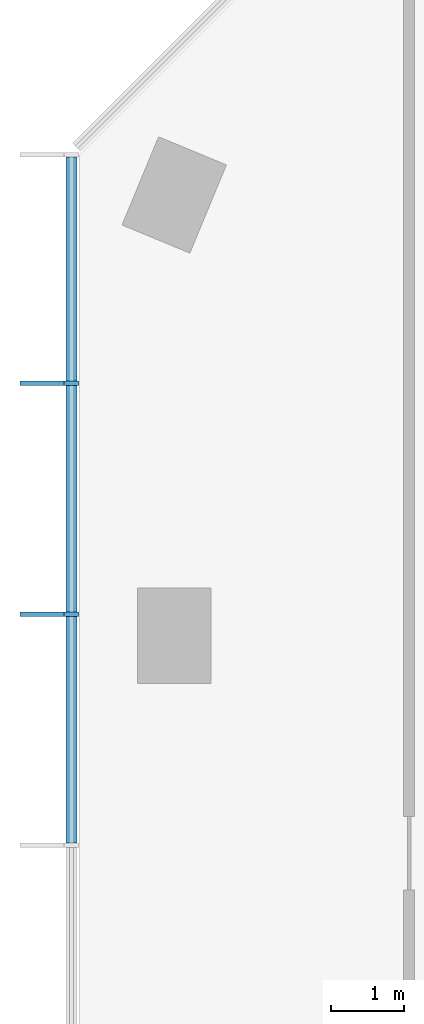
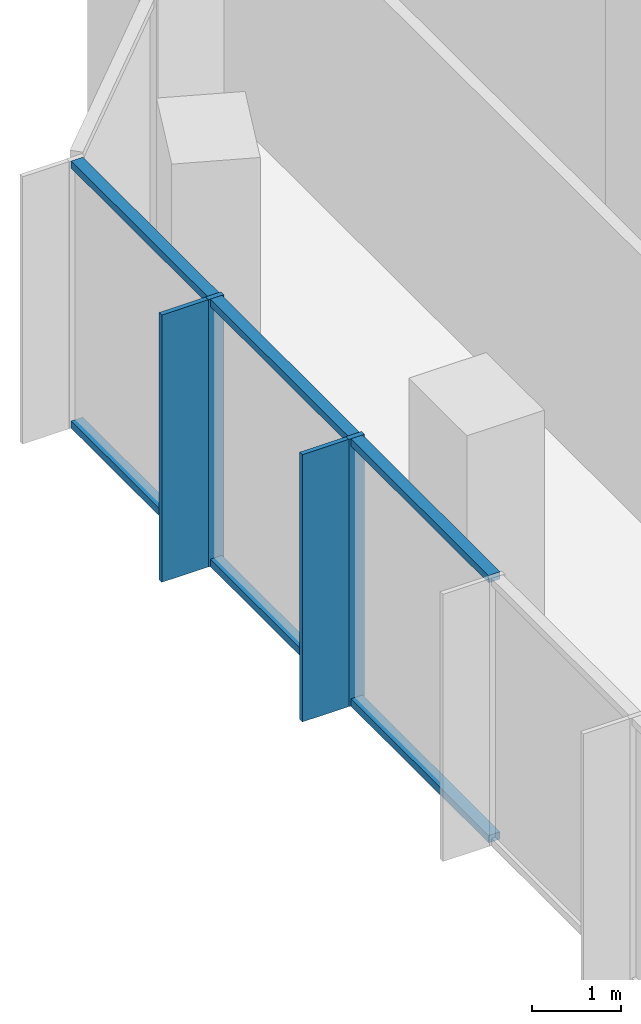
# One storey, part 3 of 10: 10 members, 1 element without a shape of its own.
"""IFC4 building model written with IfcOpenShell, lengths in metres."""

from ifc_helpers import new_model, si_unit, direction, frame, origin, origin_2d, place, context, subcontext, project, spatial, rectangle, extrude, material, layer, layer_set, material_profile, profile_set, type_object, element, aggregate, save


model = new_model("IFC4")

# Units and contexts
model_context = context("Model", 3, precision=1e-05, world=origin(), true_north=direction((0.0, 1.0)))
body_context = subcontext(model_context, "Body", "Model", "MODEL_VIEW")
ifc_project = project(units=[si_unit("LENGTHUNIT", "METRE"), si_unit("AREAUNIT", "SQUARE_METRE"), si_unit("VOLUMEUNIT", "CUBIC_METRE"), si_unit("PLANEANGLEUNIT", "RADIAN"), si_unit("MASSUNIT", "GRAM", prefix="KILO")], contexts=[model_context])

# Site, building, storey
site_placement = place(None, origin())
site = spatial("IfcSite", under=ifc_project, at=site_placement, CompositionType="ELEMENT")
building_placement = place(site_placement, origin())
building = spatial("IfcBuilding", under=site, at=building_placement, Name="Highveld Stack Headquarters", CompositionType="ELEMENT")
storey_placement = place(building_placement, frame((0.0, 0.0, 264.5)))
storey = spatial("IfcBuildingStorey", under=building, at=storey_placement, Name="L65", CompositionType="ELEMENT", Elevation=264.5)

# Curtain wall, members
ifc_material_1 = material(Name="Aluminium bronze anodised", Category="aluminium")
ifc_layer = layer(ifc_material_1, 0.199951171875)
ifc_layer_set = layer_set([ifc_layer], Name="Aluminium bronze anodised")
curtain_wall_type = type_object("IfcCurtainWallType", Name="CW5 EXECUTIVE UNITISED CURTAIN WALL", PredefinedType="NOTDEFINED", material=ifc_layer_set)
curtain_wall_placement = place(storey_placement, origin())
curtain_wall = element("IfcCurtainWall", 1, at=curtain_wall_placement, inside=storey, type_object=curtain_wall_type, Name="Curtain wall CW5 L65 W", PredefinedType="NOTDEFINED")
ifc_material_2 = material(Name="Aluminium bronze anodised", Category="aluminium")
ifc_material_profile_1 = material_profile(ifc_material_2, rectangle(XDim=0.60009765625, YDim=0.06005859375, at=origin_2d()), Name="FIN 600x60")
ifc_profile_set_1 = profile_set([ifc_material_profile_1], Name="Aluminium bronze anodised")
member_type_1 = type_object("IfcMemberType", Name="CW5 BRONZE FIN 600x60", PredefinedType="USERDEFINED", material=ifc_profile_set_1)
member_1_placement = place(storey_placement, frame((-13.800048828125, 15.434814453125, 0.0), z_axis=(0.0, 0.0, 1.0), x_axis=(1.0, 0.0, 0.0)))
member_1 = element("IfcMember", 2, at=member_1_placement, type_object=member_type_1, Name="CW5 fin L65 2", ObjectType="FIN", PredefinedType="USERDEFINED", context=body_context, shape_type="SweptSolid", body=[
    extrude(rectangle(XDim=0.60009765625, YDim=0.06005859375, at=origin_2d()), origin(), (0.0, 0.0, 1.0), 3.64990234375),
])
member_2_placement = place(storey_placement, frame((-13.800048828125, 12.289794921875, 0.0), z_axis=(0.0, 0.0, 1.0), x_axis=(1.0, 0.0, 0.0)))
member_2 = element("IfcMember", 3, at=member_2_placement, type_object=member_type_1, Name="CW5 fin L65 3", ObjectType="FIN", PredefinedType="USERDEFINED", context=body_context, shape_type="SweptSolid", body=[
    extrude(rectangle(XDim=0.60009765625, YDim=0.06005859375, at=origin_2d()), origin(), (0.0, 0.0, 1.0), 3.64990234375),
])
ifc_material_3 = material(Name="Aluminium bronze anodised", Category="aluminium")
ifc_material_profile_2 = material_profile(ifc_material_3, rectangle(XDim=0.199951171875, YDim=0.06494140625, at=origin_2d()), Name="CW5 MULLION 65x200")
ifc_profile_set_2 = profile_set([ifc_material_profile_2], Name="Aluminium bronze anodised")
member_type_2 = type_object("IfcMemberType", Name="CW5 MULLION 65x200", PredefinedType="MULLION", material=ifc_profile_set_2)
member_3_placement = place(storey_placement, frame((-13.39990234375, 15.434814453125, 0.0), z_axis=(0.0, 0.0, 1.0), x_axis=(1.0, 0.0, 0.0)))
member_3 = element("IfcMember", 4, at=member_3_placement, type_object=member_type_2, Name="CW5 mullion L65 2", PredefinedType="MULLION", context=body_context, shape_type="SweptSolid", body=[
    extrude(rectangle(XDim=0.199951171875, YDim=0.06494140625, at=origin_2d()), origin(), (0.0, 0.0, 1.0), 3.64990234375),
])
member_4_placement = place(storey_placement, frame((-13.39990234375, 12.289794921875, 0.0), z_axis=(0.0, 0.0, 1.0), x_axis=(1.0, 0.0, 0.0)))
member_4 = element("IfcMember", 5, at=member_4_placement, type_object=member_type_2, Name="CW5 mullion L65 3", PredefinedType="MULLION", context=body_context, shape_type="SweptSolid", body=[
    extrude(rectangle(XDim=0.199951171875, YDim=0.06494140625, at=origin_2d()), origin(), (0.0, 0.0, 1.0), 3.64990234375),
])
ifc_material_4 = material(Name="Aluminium bronze anodised", Category="aluminium")
ifc_material_profile_3 = material_profile(ifc_material_4, rectangle(XDim=0.14990234375, YDim=0.10009765625, at=origin_2d()), Name="CW5 TRANSOM 150x100")
ifc_profile_set_3 = profile_set([ifc_material_profile_3], Name="Aluminium bronze anodised")
member_type_3 = type_object("IfcMemberType", Name="CW5 STACK TRANSOM 150x100", PredefinedType="USERDEFINED", material=ifc_profile_set_3)
member_5_placement = place(storey_placement, frame((-13.39990234375, 18.514892578125, 0.050048828125), z_axis=(0.0, -1.0, 0.0), x_axis=(1.0, 0.0, 0.0)))
member_5 = element("IfcMember", 6, at=member_5_placement, type_object=member_type_3, Name="CW5 transom L65 1.1", ObjectType="TRANSOM", PredefinedType="USERDEFINED", context=body_context, shape_type="SweptSolid", body=[
    extrude(rectangle(XDim=0.14990234375, YDim=0.10009765625, at=origin_2d()), origin(), (0.0, 0.0, 1.0), 3.047607421875),
])
member_6_placement = place(storey_placement, frame((-13.39990234375, 18.514892578125, 3.60009765625), z_axis=(0.0, -1.0, 0.0), x_axis=(1.0, 0.0, 0.0)))
member_6 = element("IfcMember", 7, at=member_6_placement, type_object=member_type_3, Name="CW5 transom L65 1.2", ObjectType="TRANSOM", PredefinedType="USERDEFINED", context=body_context, shape_type="SweptSolid", body=[
    extrude(rectangle(XDim=0.14990234375, YDim=0.10009765625, at=origin_2d()), origin(), (0.0, 0.0, 1.0), 3.047607421875),
])
member_7_placement = place(storey_placement, frame((-13.39990234375, 15.40234375, 0.050048828125), z_axis=(0.0, -1.0, 0.0), x_axis=(1.0, 0.0, 0.0)))
member_7 = element("IfcMember", 8, at=member_7_placement, type_object=member_type_3, Name="CW5 transom L65 2.1", ObjectType="TRANSOM", PredefinedType="USERDEFINED", context=body_context, shape_type="SweptSolid", body=[
    extrude(rectangle(XDim=0.14990234375, YDim=0.10009765625, at=origin_2d()), origin(), (0.0, 0.0, 1.0), 3.079833984375),
])
member_8_placement = place(storey_placement, frame((-13.39990234375, 15.40234375, 3.60009765625), z_axis=(0.0, -1.0, 0.0), x_axis=(1.0, 0.0, 0.0)))
member_8 = element("IfcMember", 9, at=member_8_placement, type_object=member_type_3, Name="CW5 transom L65 2.2", ObjectType="TRANSOM", PredefinedType="USERDEFINED", context=body_context, shape_type="SweptSolid", body=[
    extrude(rectangle(XDim=0.14990234375, YDim=0.10009765625, at=origin_2d()), origin(), (0.0, 0.0, 1.0), 3.079833984375),
])
member_9_placement = place(storey_placement, frame((-13.39990234375, 12.25732421875, 0.050048828125), z_axis=(0.0, -1.0, 0.0), x_axis=(1.0, 0.0, 0.0)))
member_9 = element("IfcMember", 10, at=member_9_placement, type_object=member_type_3, Name="CW5 transom L65 3.1", ObjectType="TRANSOM", PredefinedType="USERDEFINED", context=body_context, shape_type="SweptSolid", body=[
    extrude(rectangle(XDim=0.14990234375, YDim=0.10009765625, at=origin_2d()), origin(), (0.0, 0.0, 1.0), 3.079833984375),
])
member_10_placement = place(storey_placement, frame((-13.39990234375, 12.25732421875, 3.60009765625), z_axis=(0.0, -1.0, 0.0), x_axis=(1.0, 0.0, 0.0)))
member_10 = element("IfcMember", 11, at=member_10_placement, type_object=member_type_3, Name="CW5 transom L65 3.2", ObjectType="TRANSOM", PredefinedType="USERDEFINED", context=body_context, shape_type="SweptSolid", body=[
    extrude(rectangle(XDim=0.14990234375, YDim=0.10009765625, at=origin_2d()), origin(), (0.0, 0.0, 1.0), 3.079833984375),
])
aggregate(curtain_wall, [member_3, member_1, member_4, member_2, member_5, member_6, member_7, member_8, member_9, member_10])

save(model, "model.ifc")
